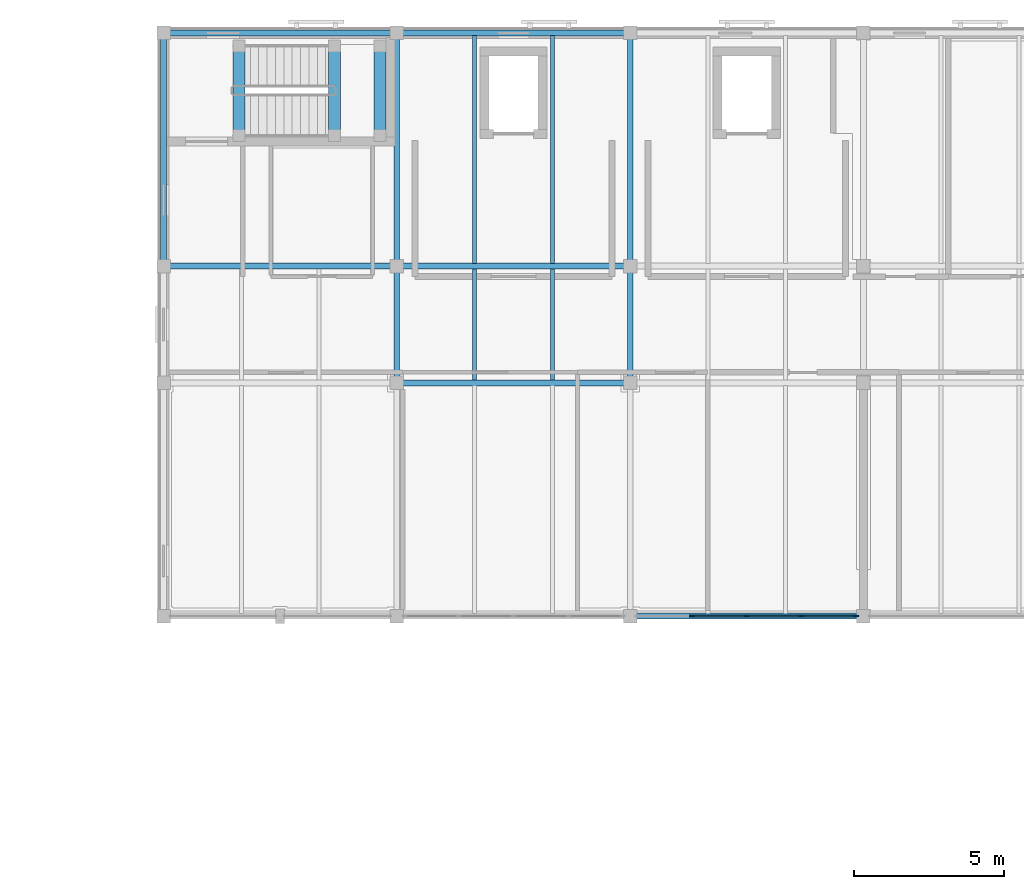
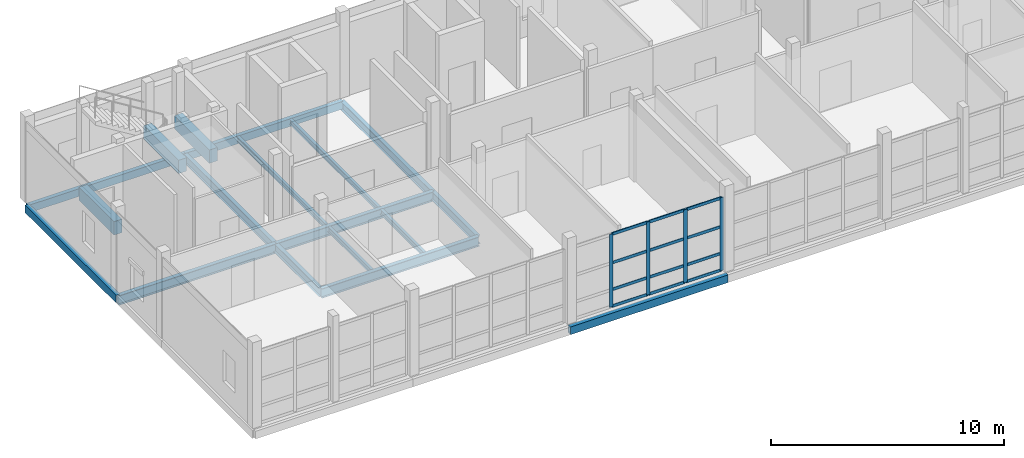
# One storey, part 9 of 45: 18 beams, 16 members, 1 element without a shape of its own.
"""IFC4 building model written with IfcOpenShell, lengths in metres."""

from ifc_helpers import new_model, si_unit, direction, frame, origin, origin_2d, place, context, subcontext, project, spatial, rectangle, hollow_rectangle, i_section, extrude, material, layer, layer_set, material_profile, profile_set, type_object, element, aggregate, save


model = new_model("IFC4")

# Units and contexts
model_context = context("Model", 3, precision=1e-05, world=origin(), true_north=direction((0.0, 1.0)))
body_context = subcontext(model_context, "Body", "Model", "MODEL_VIEW")
ifc_project = project(units=[si_unit("LENGTHUNIT", "METRE"), si_unit("AREAUNIT", "SQUARE_METRE"), si_unit("VOLUMEUNIT", "CUBIC_METRE"), si_unit("PLANEANGLEUNIT", "RADIAN"), si_unit("MASSUNIT", "GRAM", prefix="KILO")], contexts=[model_context])

# Site, building, storey
site_placement = place(None, origin())
site = spatial("IfcSite", under=ifc_project, at=site_placement, CompositionType="ELEMENT")
building_placement = place(site_placement, origin())
building = spatial("IfcBuilding", under=site, at=building_placement, Name="Celorna Specialist Clinic", CompositionType="ELEMENT")
storey_placement = place(building_placement, frame((0.0, 0.0, 18.60009765625)))
storey = spatial("IfcBuildingStorey", under=building, at=storey_placement, Name="L04", CompositionType="ELEMENT", Elevation=18.60009765625)

# Beams
ifc_material_1 = material(Name="Steel S355", Category="steel")
ifc_material_profile_1 = material_profile(ifc_material_1, i_section(OverallWidth=0.199951171875, OverallDepth=0.5, WebThickness=0.01025390625, FlangeThickness=0.01611328125, at=origin_2d()), Name="IPE 500")
ifc_profile_set_1 = profile_set([ifc_material_profile_1], Name="Steel S355")
beam_type_1 = type_object("IfcBeamType", Name="BM-08", PredefinedType="BEAM", material=ifc_profile_set_1)
beam_1_placement = place(storey_placement, frame((54.60009765625, 104.300048828125, -0.530029296875), z_axis=(1.0, 0.0, 0.0), x_axis=(0.0, 1.0, 0.0)))
element("IfcBeam", 1, at=beam_1_placement, inside=storey, type_object=beam_type_1, Name="Primary girder BM-08 #1346", PredefinedType="BEAM", context=body_context, shape_type="SweptSolid", body=[
    extrude(i_section(OverallWidth=0.199951171875, OverallDepth=0.5, WebThickness=0.01025390625, FlangeThickness=0.01611328125, at=origin_2d()), origin(), (0.0, 0.0, 1.0), 7.7998046875),
])
beam_2_placement = place(storey_placement, frame((46.800048828125, 108.199951171875, -0.530029296875), z_axis=(1.0, 0.0, 0.0), x_axis=(0.0, 1.0, 0.0)))
element("IfcBeam", 2, at=beam_2_placement, inside=storey, type_object=beam_type_1, Name="Primary girder BM-08 #1351", PredefinedType="BEAM", context=body_context, shape_type="SweptSolid", body=[
    extrude(i_section(OverallWidth=0.199951171875, OverallDepth=0.5, WebThickness=0.01025390625, FlangeThickness=0.01611328125, at=origin_2d()), origin(), (0.0, 0.0, 1.0), 7.800048828125),
])
beam_3_placement = place(storey_placement, frame((54.60009765625, 108.199951171875, -0.530029296875), z_axis=(1.0, 0.0, 0.0), x_axis=(0.0, 1.0, 0.0)))
element("IfcBeam", 3, at=beam_3_placement, inside=storey, type_object=beam_type_1, Name="Primary girder BM-08 #1352", PredefinedType="BEAM", context=body_context, shape_type="SweptSolid", body=[
    extrude(i_section(OverallWidth=0.199951171875, OverallDepth=0.5, WebThickness=0.01025390625, FlangeThickness=0.01611328125, at=origin_2d()), origin(), (0.0, 0.0, 1.0), 7.7998046875),
])
ifc_material_profile_2 = material_profile(ifc_material_1, i_section(OverallWidth=0.18994140625, OverallDepth=0.449951171875, WebThickness=0.009521484375, FlangeThickness=0.0146484375, at=origin_2d()), Name="IPE 450")
ifc_profile_set_2 = profile_set([ifc_material_profile_2], Name="Steel S355")
beam_type_2 = type_object("IfcBeamType", Name="BM-09", PredefinedType="BEAM", material=ifc_profile_set_2)
beam_4_placement = place(storey_placement, frame((54.60009765625, 104.300048828125, -0.505126953125), z_axis=(0.0, 1.0, 0.0), x_axis=(-1.0, 0.0, 0.0)))
element("IfcBeam", 4, at=beam_4_placement, inside=storey, type_object=beam_type_2, Name="Transverse girder BM-09 #1367", PredefinedType="BEAM", context=body_context, shape_type="SweptSolid", body=[
    extrude(i_section(OverallWidth=0.18994140625, OverallDepth=0.449951171875, WebThickness=0.009521484375, FlangeThickness=0.0146484375, at=origin_2d()), origin(), (0.0, 0.0, 1.0), 3.89990234375),
])
beam_5_placement = place(storey_placement, frame((54.60009765625, 108.199951171875, -0.505126953125), z_axis=(0.0, 1.0, 0.0), x_axis=(-1.0, 0.0, 0.0)))
element("IfcBeam", 5, at=beam_5_placement, inside=storey, type_object=beam_type_2, Name="Transverse girder BM-09 #1368", PredefinedType="BEAM", context=body_context, shape_type="SweptSolid", body=[
    extrude(i_section(OverallWidth=0.18994140625, OverallDepth=0.449951171875, WebThickness=0.009521484375, FlangeThickness=0.0146484375, at=origin_2d()), origin(), (0.0, 0.0, 1.0), 7.800048828125),
])
beam_6_placement = place(storey_placement, frame((62.39990234375, 104.300048828125, -0.505126953125), z_axis=(0.0, 1.0, 0.0), x_axis=(-1.0, 0.0, 0.0)))
element("IfcBeam", 6, at=beam_6_placement, inside=storey, type_object=beam_type_2, Name="Transverse girder BM-09 #1370", PredefinedType="BEAM", context=body_context, shape_type="SweptSolid", body=[
    extrude(i_section(OverallWidth=0.18994140625, OverallDepth=0.449951171875, WebThickness=0.009521484375, FlangeThickness=0.0146484375, at=origin_2d()), origin(), (0.0, 0.0, 1.0), 3.89990234375),
])
beam_7_placement = place(storey_placement, frame((62.39990234375, 108.199951171875, -0.505126953125), z_axis=(0.0, 1.0, 0.0), x_axis=(-1.0, 0.0, 0.0)))
element("IfcBeam", 7, at=beam_7_placement, inside=storey, type_object=beam_type_2, Name="Transverse girder BM-09 #1371", PredefinedType="BEAM", context=body_context, shape_type="SweptSolid", body=[
    extrude(i_section(OverallWidth=0.18994140625, OverallDepth=0.449951171875, WebThickness=0.009521484375, FlangeThickness=0.0146484375, at=origin_2d()), origin(), (0.0, 0.0, 1.0), 7.800048828125),
])
ifc_material_profile_3 = material_profile(ifc_material_1, i_section(OverallWidth=0.135009765625, OverallDepth=0.27001953125, WebThickness=0.006591796875, FlangeThickness=0.01025390625, at=origin_2d()), Name="IPE 270")
ifc_profile_set_3 = profile_set([ifc_material_profile_3], Name="Steel S355")
beam_type_3 = type_object("IfcBeamType", Name="BM-14", PredefinedType="JOIST", material=ifc_profile_set_3)
for number, where, z_axis, x_axis, name in (
    (8, (57.199951171875, 104.387939453125, -0.4150390625), (0.0, 1.0, 0.0), (-1.0, 0.0, 0.0), "Secondary floor joist BM-14 #1390"),
    (9, (59.800048828125, 104.387939453125, -0.4150390625), (0.0, 1.0, 0.0), (-1.0, 0.0, 0.0), "Secondary floor joist BM-14 #1391"),
):
    element("IfcBeam", number, at=place(storey_placement, frame(where, z_axis=z_axis, x_axis=x_axis)), inside=storey, type_object=beam_type_3, Name=name, PredefinedType="JOIST", context=body_context, shape_type="SweptSolid", body=[
        extrude(i_section(OverallWidth=0.135009765625, OverallDepth=0.27001953125, WebThickness=0.006591796875, FlangeThickness=0.01025390625, at=origin_2d()), origin(), (0.0, 0.0, 1.0), 3.72412109375),
    ])
for number, where, z_axis, x_axis, name in (
    (10, (57.199951171875, 108.2880859375, -0.4150390625), (0.0, 1.0, 0.0), (-1.0, 0.0, 0.0), "Secondary floor joist BM-14 #1392"),
    (11, (59.800048828125, 108.2880859375, -0.4150390625), (0.0, 1.0, 0.0), (-1.0, 0.0, 0.0), "Secondary floor joist BM-14 #1393"),
):
    element("IfcBeam", number, at=place(storey_placement, frame(where, z_axis=z_axis, x_axis=x_axis)), inside=storey, type_object=beam_type_3, Name=name, PredefinedType="JOIST", context=body_context, shape_type="SweptSolid", body=[
        extrude(i_section(OverallWidth=0.135009765625, OverallDepth=0.27001953125, WebThickness=0.006591796875, FlangeThickness=0.01025390625, at=origin_2d()), origin(), (0.0, 0.0, 1.0), 7.6240234375),
    ])
ifc_material_profile_4 = material_profile(ifc_material_1, hollow_rectangle(XDim=0.199951171875, YDim=0.39990234375, WallThickness=0.011962890625, at=origin_2d()), Name="RHS 200x400x12")
ifc_profile_set_4 = profile_set([ifc_material_profile_4], Name="Steel S355")
beam_type_4 = type_object("IfcBeamType", Name="BM-15", PredefinedType="SPANDREL", material=ifc_profile_set_4)
for number, where, z_axis, x_axis, name in (
    (12, (62.39990234375, 96.5, -0.47998046875), (1.0, 0.0, 0.0), (0.0, 1.0, 0.0), "Spandrel beam BM-15 #1341"),
    (13, (46.800048828125, 116.0, -0.47998046875), (1.0, 0.0, 0.0), (0.0, 1.0, 0.0), "Spandrel beam BM-15 #1357"),
):
    element("IfcBeam", number, at=place(storey_placement, frame(where, z_axis=z_axis, x_axis=x_axis)), inside=storey, type_object=beam_type_4, Name=name, PredefinedType="SPANDREL", context=body_context, shape_type="SweptSolid", body=[
        extrude(hollow_rectangle(XDim=0.199951171875, YDim=0.39990234375, WallThickness=0.011962890625, at=origin_2d()), origin(), (0.0, 0.0, 1.0), 7.800048828125),
    ])
beam_8_placement = place(storey_placement, frame((54.60009765625, 116.0, -0.47998046875), z_axis=(1.0, 0.0, 0.0), x_axis=(0.0, 1.0, 0.0)))
element("IfcBeam", 14, at=beam_8_placement, inside=storey, type_object=beam_type_4, Name="Spandrel beam BM-15 #1358", PredefinedType="SPANDREL", context=body_context, shape_type="SweptSolid", body=[
    extrude(hollow_rectangle(XDim=0.199951171875, YDim=0.39990234375, WallThickness=0.011962890625, at=origin_2d()), origin(), (0.0, 0.0, 1.0), 7.7998046875),
])
beam_9_placement = place(storey_placement, frame((46.800048828125, 108.199951171875, -0.47998046875), z_axis=(0.0, 1.0, 0.0), x_axis=(-1.0, 0.0, 0.0)))
element("IfcBeam", 15, at=beam_9_placement, inside=storey, type_object=beam_type_4, Name="Spandrel beam BM-15 #1365", PredefinedType="SPANDREL", context=body_context, shape_type="SweptSolid", body=[
    extrude(hollow_rectangle(XDim=0.199951171875, YDim=0.39990234375, WallThickness=0.011962890625, at=origin_2d()), origin(), (0.0, 0.0, 1.0), 7.800048828125),
])
ifc_material_2 = material(Name="Concrete C35/45", Category="concrete")
ifc_material_profile_5 = material_profile(ifc_material_2, rectangle(XDim=0.39990234375, YDim=0.699951171875, at=origin_2d()), Name="RC 400x700")
ifc_profile_set_5 = profile_set([ifc_material_profile_5], Name="Concrete C35/45")
beam_type_5 = type_object("IfcBeamType", Name="BM-19", PredefinedType="BEAM", material=ifc_profile_set_5)
for number, where, z_axis, x_axis, name in (
    (16, (49.320068359375, 112.570068359375, -0.275146484375), (0.0, 1.0, 0.0), (-1.0, 0.0, 0.0), "Stair ST-01 floor landing trimmer beam L04"),
    (17, (52.52001953125, 112.570068359375, 1.824951171875), (0.0, 1.0, 0.0), (-1.0, 0.0, 0.0), "Stair ST-01 half-landing beam L04"),
    (18, (54.0400390625, 112.570068359375, 1.824951171875), (0.0, 1.0, 0.0), (-1.0, 0.0, 0.0), "Stair ST-01 half-landing beam L04"),
):
    element("IfcBeam", number, at=place(storey_placement, frame(where, z_axis=z_axis, x_axis=x_axis)), inside=storey, type_object=beam_type_5, Name=name, PredefinedType="BEAM", context=body_context, shape_type="SweptSolid", body=[
        extrude(rectangle(XDim=0.39990234375, YDim=0.699951171875, at=origin_2d()), origin(), (0.0, 0.0, 1.0), 3.0),
    ])

# Curtain wall, members
ifc_material_3 = material(Name="Thermally broken aluminium and solar-control glass curtain wall", Category="aluminium")
ifc_layer = layer(ifc_material_3, 0.159912109375, Name="Thermally broken aluminium and solar-control glass curtain wall")
ifc_layer_set = layer_set([ifc_layer], Name="Thermally broken aluminium and solar-control glass curtain wall")
curtain_wall_type = type_object("IfcCurtainWallType", Name="CW-74", PredefinedType="NOTDEFINED", material=ifc_layer_set)
curtain_wall_placement = place(storey_placement, origin())
curtain_wall = element("IfcCurtainWall", 19, at=curtain_wall_placement, inside=storey, type_object=curtain_wall_type, Name="Curtain wall CW-74 #140", PredefinedType="NOTDEFINED")
ifc_material_4 = material(Name="Anodized aluminium mullion", Category="aluminium")
ifc_material_profile_6 = material_profile(ifc_material_4, rectangle(XDim=0.050048828125, YDim=0.179931640625, at=origin_2d()), Name="ALU MULLION 50x180")
ifc_profile_set_6 = profile_set([ifc_material_profile_6], Name="Anodized aluminium mullion")
member_type_1 = type_object("IfcMemberType", Name="ML-02", PredefinedType="MULLION", material=ifc_profile_set_6)
member_1_placement = place(storey_placement, frame((69.946044921875, 96.5, 0.0), z_axis=(0.0, 0.0, 1.0), x_axis=(0.0, -1.0, 0.0)))
member_1 = element("IfcMember", 20, at=member_1_placement, type_object=member_type_1, Name="CW-74 mullion 1", PredefinedType="MULLION", context=body_context, shape_type="SweptSolid", body=[
    extrude(rectangle(XDim=0.050048828125, YDim=0.179931640625, at=origin_2d()), origin(), (0.0, 0.0, 1.0), 3.81982421875),
])
member_2_placement = place(storey_placement, frame((68.135498046875, 96.5, 0.0), z_axis=(0.0, 0.0, 1.0), x_axis=(0.0, -1.0, 0.0)))
member_2 = element("IfcMember", 21, at=member_2_placement, type_object=member_type_1, Name="CW-74 mullion 2", PredefinedType="MULLION", context=body_context, shape_type="SweptSolid", body=[
    extrude(rectangle(XDim=0.050048828125, YDim=0.179931640625, at=origin_2d()), origin(), (0.0, 0.0, 1.0), 3.81982421875),
])
member_3_placement = place(storey_placement, frame((66.300048828125, 96.5, 0.0), z_axis=(0.0, 0.0, 1.0), x_axis=(0.0, -1.0, 0.0)))
member_3 = element("IfcMember", 22, at=member_3_placement, type_object=member_type_1, Name="CW-74 mullion 3", PredefinedType="MULLION", context=body_context, shape_type="SweptSolid", body=[
    extrude(rectangle(XDim=0.050048828125, YDim=0.179931640625, at=origin_2d()), origin(), (0.0, 0.0, 1.0), 3.81982421875),
])
member_4_placement = place(storey_placement, frame((64.464599609375, 96.5, 0.0), z_axis=(0.0, 0.0, 1.0), x_axis=(0.0, -1.0, 0.0)))
member_4 = element("IfcMember", 23, at=member_4_placement, type_object=member_type_1, Name="CW-74 mullion 4", PredefinedType="MULLION", context=body_context, shape_type="SweptSolid", body=[
    extrude(rectangle(XDim=0.050048828125, YDim=0.179931640625, at=origin_2d()), origin(), (0.0, 0.0, 1.0), 3.81982421875),
])
ifc_material_5 = material(Name="Anodized aluminium transom", Category="aluminium")
ifc_material_profile_7 = material_profile(ifc_material_5, rectangle(XDim=0.050048828125, YDim=0.14990234375, at=origin_2d()), Name="ALU TRANSOM 50x150")
ifc_profile_set_7 = profile_set([ifc_material_profile_7], Name="Anodized aluminium transom")
member_type_2 = type_object("IfcMemberType", Name="TR-02", PredefinedType="USERDEFINED", material=ifc_profile_set_7)
member_5_placement = place(storey_placement, frame((69.9208984375, 96.5, 0.02490234375), z_axis=(-1.0, 0.0, 0.0), x_axis=(0.0, -1.0, 0.0)))
member_5 = element("IfcMember", 24, at=member_5_placement, type_object=member_type_2, Name="CW-74 transom 1.1", ObjectType="TRANSOM", PredefinedType="USERDEFINED", context=body_context, shape_type="SweptSolid", body=[
    extrude(rectangle(XDim=0.050048828125, YDim=0.14990234375, at=origin_2d()), origin(), (0.0, 0.0, 1.0), 1.760498046875),
])
member_6_placement = place(storey_placement, frame((69.9208984375, 96.5, 0.89990234375), z_axis=(-1.0, 0.0, 0.0), x_axis=(0.0, -1.0, 0.0)))
member_6 = element("IfcMember", 25, at=member_6_placement, type_object=member_type_2, Name="CW-74 transom 1.2", ObjectType="TRANSOM", PredefinedType="USERDEFINED", context=body_context, shape_type="SweptSolid", body=[
    extrude(rectangle(XDim=0.050048828125, YDim=0.14990234375, at=origin_2d()), origin(), (0.0, 0.0, 1.0), 1.760498046875),
])
member_7_placement = place(storey_placement, frame((69.9208984375, 96.5, 2.2998046875), z_axis=(-1.0, 0.0, 0.0), x_axis=(0.0, -1.0, 0.0)))
member_7 = element("IfcMember", 26, at=member_7_placement, type_object=member_type_2, Name="CW-74 transom 1.3", ObjectType="TRANSOM", PredefinedType="USERDEFINED", context=body_context, shape_type="SweptSolid", body=[
    extrude(rectangle(XDim=0.050048828125, YDim=0.14990234375, at=origin_2d()), origin(), (0.0, 0.0, 1.0), 1.760498046875),
])
member_8_placement = place(storey_placement, frame((69.9208984375, 96.5, 3.794921875), z_axis=(-1.0, 0.0, 0.0), x_axis=(0.0, -1.0, 0.0)))
member_8 = element("IfcMember", 27, at=member_8_placement, type_object=member_type_2, Name="CW-74 transom 1.4", ObjectType="TRANSOM", PredefinedType="USERDEFINED", context=body_context, shape_type="SweptSolid", body=[
    extrude(rectangle(XDim=0.050048828125, YDim=0.14990234375, at=origin_2d()), origin(), (0.0, 0.0, 1.0), 1.760498046875),
])
member_9_placement = place(storey_placement, frame((68.110595703125, 96.5, 0.02490234375), z_axis=(-1.0, 0.0, 0.0), x_axis=(0.0, -1.0, 0.0)))
member_9 = element("IfcMember", 28, at=member_9_placement, type_object=member_type_2, Name="CW-74 transom 2.1", ObjectType="TRANSOM", PredefinedType="USERDEFINED", context=body_context, shape_type="SweptSolid", body=[
    extrude(rectangle(XDim=0.050048828125, YDim=0.14990234375, at=origin_2d()), origin(), (0.0, 0.0, 1.0), 1.78564453125),
])
member_10_placement = place(storey_placement, frame((68.110595703125, 96.5, 0.89990234375), z_axis=(-1.0, 0.0, 0.0), x_axis=(0.0, -1.0, 0.0)))
member_10 = element("IfcMember", 29, at=member_10_placement, type_object=member_type_2, Name="CW-74 transom 2.2", ObjectType="TRANSOM", PredefinedType="USERDEFINED", context=body_context, shape_type="SweptSolid", body=[
    extrude(rectangle(XDim=0.050048828125, YDim=0.14990234375, at=origin_2d()), origin(), (0.0, 0.0, 1.0), 1.78564453125),
])
member_11_placement = place(storey_placement, frame((68.110595703125, 96.5, 2.2998046875), z_axis=(-1.0, 0.0, 0.0), x_axis=(0.0, -1.0, 0.0)))
member_11 = element("IfcMember", 30, at=member_11_placement, type_object=member_type_2, Name="CW-74 transom 2.3", ObjectType="TRANSOM", PredefinedType="USERDEFINED", context=body_context, shape_type="SweptSolid", body=[
    extrude(rectangle(XDim=0.050048828125, YDim=0.14990234375, at=origin_2d()), origin(), (0.0, 0.0, 1.0), 1.78564453125),
])
member_12_placement = place(storey_placement, frame((68.110595703125, 96.5, 3.794921875), z_axis=(-1.0, 0.0, 0.0), x_axis=(0.0, -1.0, 0.0)))
member_12 = element("IfcMember", 31, at=member_12_placement, type_object=member_type_2, Name="CW-74 transom 2.4", ObjectType="TRANSOM", PredefinedType="USERDEFINED", context=body_context, shape_type="SweptSolid", body=[
    extrude(rectangle(XDim=0.050048828125, YDim=0.14990234375, at=origin_2d()), origin(), (0.0, 0.0, 1.0), 1.78564453125),
])
member_13_placement = place(storey_placement, frame((66.27490234375, 96.5, 0.02490234375), z_axis=(-1.0, 0.0, 0.0), x_axis=(0.0, -1.0, 0.0)))
member_13 = element("IfcMember", 32, at=member_13_placement, type_object=member_type_2, Name="CW-74 transom 3.1", ObjectType="TRANSOM", PredefinedType="USERDEFINED", context=body_context, shape_type="SweptSolid", body=[
    extrude(rectangle(XDim=0.050048828125, YDim=0.14990234375, at=origin_2d()), origin(), (0.0, 0.0, 1.0), 1.785400390625),
])
member_14_placement = place(storey_placement, frame((66.27490234375, 96.5, 0.89990234375), z_axis=(-1.0, 0.0, 0.0), x_axis=(0.0, -1.0, 0.0)))
member_14 = element("IfcMember", 33, at=member_14_placement, type_object=member_type_2, Name="CW-74 transom 3.2", ObjectType="TRANSOM", PredefinedType="USERDEFINED", context=body_context, shape_type="SweptSolid", body=[
    extrude(rectangle(XDim=0.050048828125, YDim=0.14990234375, at=origin_2d()), origin(), (0.0, 0.0, 1.0), 1.785400390625),
])
member_15_placement = place(storey_placement, frame((66.27490234375, 96.5, 2.2998046875), z_axis=(-1.0, 0.0, 0.0), x_axis=(0.0, -1.0, 0.0)))
member_15 = element("IfcMember", 34, at=member_15_placement, type_object=member_type_2, Name="CW-74 transom 3.3", ObjectType="TRANSOM", PredefinedType="USERDEFINED", context=body_context, shape_type="SweptSolid", body=[
    extrude(rectangle(XDim=0.050048828125, YDim=0.14990234375, at=origin_2d()), origin(), (0.0, 0.0, 1.0), 1.785400390625),
])
member_16_placement = place(storey_placement, frame((66.27490234375, 96.5, 3.794921875), z_axis=(-1.0, 0.0, 0.0), x_axis=(0.0, -1.0, 0.0)))
member_16 = element("IfcMember", 35, at=member_16_placement, type_object=member_type_2, Name="CW-74 transom 3.4", ObjectType="TRANSOM", PredefinedType="USERDEFINED", context=body_context, shape_type="SweptSolid", body=[
    extrude(rectangle(XDim=0.050048828125, YDim=0.14990234375, at=origin_2d()), origin(), (0.0, 0.0, 1.0), 1.785400390625),
])
aggregate(curtain_wall, [member_1, member_2, member_3, member_4, member_5, member_6, member_7, member_8, member_9, member_10, member_11, member_12, member_13, member_14, member_15, member_16])

save(model, "model.ifc")
